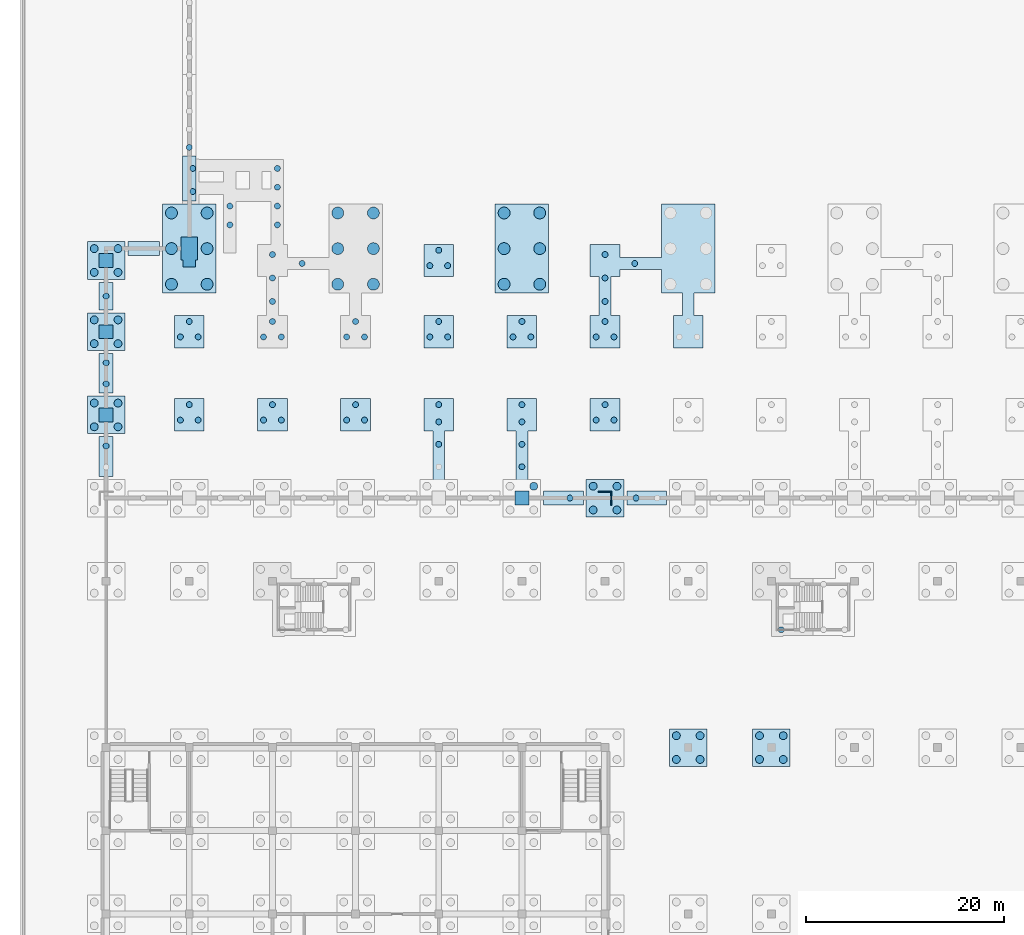
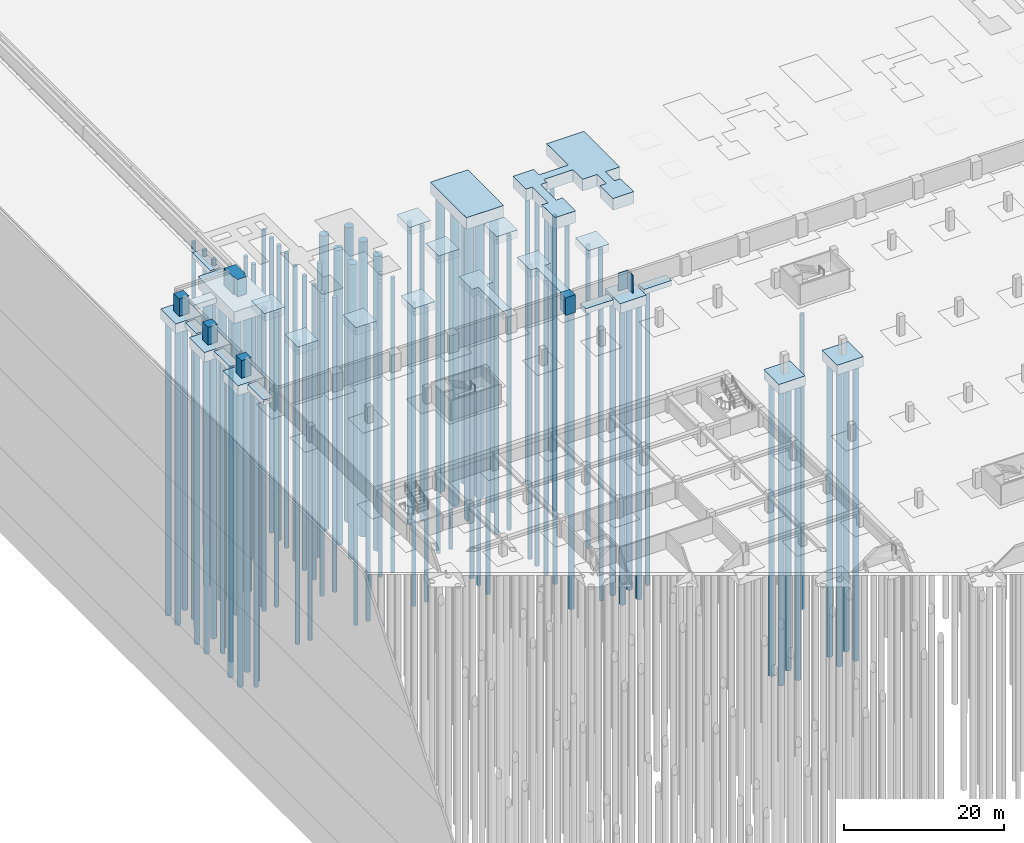
# One storey, part 4 of 67: 107 piles, 32 footings.
"""IFC4 building model written with IfcOpenShell, lengths in metres."""

import ifcopenshell
import ifcopenshell.guid

model = None  # the IFC model being written
_history = None  # IfcOwnerHistory: only IFC2X3 demands one
_inside = {}  # id of a spatial element -> (the spatial element, [elements in it])
_under = {}  # id of a project, library or spatial element -> (it, [spatial elements below it])
_declared = {}  # id of a project -> (the project, [libraries it declares])
_typed = {}  # id of a type object -> (the type object, [elements of that type])
_made_of = {}  # id of a material, layer set ... -> (it, [elements and type objects made of it])


def new_model(schema):
    """Start an empty IFC model of exactly this schema.

    Asked for "IFC4X3", IfcOpenShell would pick the latest addendum, in which some entities
    have other attributes; the version numbers below select the first issue.
    IFC2X3 requires an IfcOwnerHistory on every rooted entity: one is made here for all.
    """
    global model, _history
    if schema == "IFC4X3":
        model = ifcopenshell.file(schema_version=(4, 3, 0, 0))
    else:
        model = ifcopenshell.file(schema=schema)
    _inside.clear()
    _under.clear()
    _declared.clear()
    _typed.clear()
    _made_of.clear()
    _history = None
    if model.schema == "IFC2X3":
        org = make("IfcOrganization", Name="unknown")
        user = make(
            "IfcPersonAndOrganization",
            ThePerson=make("IfcPerson", FamilyName="unknown"),
            TheOrganization=org,
        )
        app = make(
            "IfcApplication",
            ApplicationDeveloper=org,
            Version="unknown",
            ApplicationFullName="unknown",
            ApplicationIdentifier="unknown",
        )
        _history = make(
            "IfcOwnerHistory",
            OwningUser=user,
            OwningApplication=app,
            ChangeAction="ADDED",
            CreationDate=0,
        )
    return model


def make(cls, **values):
    """One entity of the class cls with the attributes given. An attribute that is None is left unset."""
    return model.create_entity(
        cls, **{name: value for name, value in values.items() if value is not None}
    )


def rooted(cls, **values):
    """An entity with a GlobalId (a new one), such as an element, a storey or a relation."""
    return make(cls, GlobalId=ifcopenshell.guid.new(), OwnerHistory=_history, **values)


def si_unit(unit_type, name, prefix=None):
    """IfcSIUnit, for example si_unit("LENGTHUNIT", "METRE", prefix="MILLI")."""
    return make("IfcSIUnit", UnitType=unit_type, Prefix=prefix, Name=name)


def assignment(units):
    """IfcUnitAssignment: the units of a project."""
    return None if units is None else make("IfcUnitAssignment", Units=units)


def point(xyz):
    """IfcCartesianPoint."""
    return None if xyz is None else make("IfcCartesianPoint", Coordinates=xyz)


def direction(xyz):
    """IfcDirection."""
    return None if xyz is None else make("IfcDirection", DirectionRatios=xyz)


def frame(location, z_axis=None, x_axis=None):
    """IfcAxis2Placement3D, a coordinate frame: its origin and axes. An axis left out is left unset."""
    return make(
        "IfcAxis2Placement3D",
        Location=point(location),
        Axis=direction(z_axis),
        RefDirection=direction(x_axis),
    )


def frame_2d(location, x_axis=None):
    """IfcAxis2Placement2D, a coordinate frame in the plane: its origin and x axis."""
    return make(
        "IfcAxis2Placement2D", Location=point(location), RefDirection=direction(x_axis)
    )


def origin():
    """The frame at (0, 0, 0) with its axes left unset."""
    return frame((0.0, 0.0, 0.0))


def origin_2d():
    """The frame at (0, 0) in the plane with its x axis left unset."""
    return frame_2d((0.0, 0.0))


def place(relative_to, where):
    """IfcLocalPlacement: puts the frame where relative to a parent placement (None: the world)."""
    return make(
        "IfcLocalPlacement", PlacementRelTo=relative_to, RelativePlacement=where
    )


def context(
    kind, dimensions, precision=None, world=None, true_north=None, identifier=None
):
    """IfcGeometricRepresentationContext, for example the 3D "Model" context."""
    return make(
        "IfcGeometricRepresentationContext",
        ContextIdentifier=identifier,
        ContextType=kind,
        CoordinateSpaceDimension=dimensions,
        Precision=precision,
        WorldCoordinateSystem=world,
        TrueNorth=true_north,
    )


def subcontext(parent, identifier, kind, view, scale=None):
    """IfcGeometricRepresentationSubContext, for example "Body" below "Model"."""
    return make(
        "IfcGeometricRepresentationSubContext",
        ContextIdentifier=identifier,
        ContextType=kind,
        ParentContext=parent,
        TargetScale=scale,
        TargetView=view,
    )


def project(units=None, contexts=None):
    """IfcProject with its units and contexts."""
    return rooted(
        "IfcProject",
        Name="project",
        RepresentationContexts=contexts,
        UnitsInContext=assignment(units),
    )


def spatial(cls, under=None, at=None, **own):
    """A site, building, storey or space (cls), placed at a placement, below another one or the project."""
    s = rooted(cls, ObjectPlacement=at, **own)
    if under is not None:
        _under.setdefault(under.id(), (under, []))[1].append(s)
    return s


def polyline(points):
    """IfcPolyline through the points."""
    return make("IfcPolyline", Points=[point(p) for p in points])


def profile(cls, at=None, kind="AREA", **sizes):
    """A parametric profile (cls). Its sizes go by their IFC names, for example OverallWidth=200.0."""
    return make(cls, ProfileType=kind, Position=at, **sizes)


def circle(**sizes):
    """IfcCircleProfileDef."""
    return profile("IfcCircleProfileDef", **sizes)


def outline(outer, holes=None, kind="AREA"):
    """IfcArbitraryClosedProfileDef: a profile drawn as a closed curve; with holes, ...WithVoids."""
    if holes is None:
        return make("IfcArbitraryClosedProfileDef", ProfileType=kind, OuterCurve=outer)
    return make(
        "IfcArbitraryProfileDefWithVoids",
        ProfileType=kind,
        OuterCurve=outer,
        InnerCurves=holes,
    )


def extrude(swept, where, along, depth):
    """IfcExtrudedAreaSolid: the profile swept, set in the frame where, extruded along a direction by depth."""
    return make(
        "IfcExtrudedAreaSolid",
        SweptArea=swept,
        Position=where,
        ExtrudedDirection=direction(along),
        Depth=depth,
    )


def shape(context_of_items, identifier, shape_type, items):
    """IfcShapeRepresentation: the items that make up one representation, for example the "Body"."""
    return make(
        "IfcShapeRepresentation",
        ContextOfItems=context_of_items,
        RepresentationIdentifier=identifier,
        RepresentationType=shape_type,
        Items=items,
    )


def material(Name=None, Category=None):
    """IfcMaterial."""
    return make("IfcMaterial", Name=Name, Category=Category)


def material_profile(
    of_material, cross_section, Name=None, Category=None, Priority=None
):
    """IfcMaterialProfile: a cross section and its material."""
    return make(
        "IfcMaterialProfile",
        Name=Name,
        Material=of_material,
        Profile=cross_section,
        Priority=Priority,
        Category=Category,
    )


def profile_set(profiles, Name=None, composite=None):
    """IfcMaterialProfileSet."""
    return make(
        "IfcMaterialProfileSet",
        Name=Name,
        MaterialProfiles=profiles,
        CompositeProfile=composite,
    )


def made_of(thing, what):
    """Note that an element or type object is made of a material, layer set ...; save() writes the relation."""
    if what is not None:
        _made_of.setdefault(what.id(), (what, []))[1].append(thing)
    return thing


def type_object(cls, material=None, **own):
    """A type object (cls), such as IfcWallType, which elements share."""
    return made_of(rooted(cls, **own), material)


def element(
    cls,
    number,
    at=None,
    inside=None,
    cuts=None,
    type_object=None,
    material=None,
    context=None,
    identifier="Body",
    shape_type=None,
    held_by="IfcProductDefinitionShape",
    body=None,
    shapes=None,
    **own,
):
    """One element of the class cls, such as IfcWall. Its Tag is "e" and its number.

    at: its placement. inside: the storey or other place that contains it. cuts: it is an
    opening in that element (IfcRelVoidsElement). A single representation is given by context,
    identifier, shape_type and body (its items); several are given by shapes. held_by: the class
    of the entity that holds the representations. save() writes the other relations.
    """
    e = rooted(cls, Tag="e%d" % number, ObjectPlacement=at, **own)
    if body is not None:
        shapes = [shape(context, identifier, shape_type, body)]
    if shapes is not None:
        e.Representation = make(held_by, Representations=shapes)
    if inside is not None:
        _inside.setdefault(inside.id(), (inside, []))[1].append(e)
    if cuts is not None:
        rooted(
            "IfcRelVoidsElement", RelatingBuildingElement=cuts, RelatedOpeningElement=e
        )
    if type_object is not None:
        _typed.setdefault(type_object.id(), (type_object, []))[1].append(e)
    return made_of(e, material)


def aggregate(whole, parts):
    """IfcRelAggregates: a whole, such as a stair, and the parts it consists of."""
    return rooted("IfcRelAggregates", RelatingObject=whole, RelatedObjects=parts)


def save(model, path):
    """Write the relations noted so far, then the file.

    IfcRelAggregates (storeys below a building ...), IfcRelContainedInSpatialStructure (elements
    in a storey), IfcRelDefinesByType, IfcRelAssociatesMaterial and IfcRelDeclares: one each for
    every whole, place, type object, material and project.
    """
    for whole, parts in _under.values():
        aggregate(whole, parts)
    for where, things in _inside.values():
        rooted(
            "IfcRelContainedInSpatialStructure",
            RelatedElements=things,
            RelatingStructure=where,
        )
    for kind, things in _typed.values():
        rooted("IfcRelDefinesByType", RelatedObjects=things, RelatingType=kind)
    for what, things in _made_of.values():
        rooted("IfcRelAssociatesMaterial", RelatedObjects=things, RelatingMaterial=what)
    for by, libraries in _declared.values():
        rooted("IfcRelDeclares", RelatingContext=by, RelatedDefinitions=libraries)
    model.write(path)


model = new_model("IFC4")

# Units and contexts
model_context = context("Model", 3, precision=1e-05, world=origin(), true_north=direction((0.0, 1.0)))
body_context = subcontext(model_context, "Body", "Model", "MODEL_VIEW")
ifc_project = project(units=[si_unit("LENGTHUNIT", "METRE"), si_unit("AREAUNIT", "SQUARE_METRE"), si_unit("VOLUMEUNIT", "CUBIC_METRE"), si_unit("PLANEANGLEUNIT", "RADIAN"), si_unit("MASSUNIT", "GRAM", prefix="KILO")], contexts=[model_context])

# Site, building, storey
site_placement = place(None, origin())
site = spatial("IfcSite", under=ifc_project, at=site_placement, CompositionType="ELEMENT")
building_placement = place(site_placement, origin())
building = spatial("IfcBuilding", under=site, at=building_placement, Name="Rain Tree Exposition and Congress Centre", CompositionType="ELEMENT")
storey_placement = place(building_placement, frame((0.0, 0.0, -3.0)))
storey = spatial("IfcBuildingStorey", under=building, at=storey_placement, Name="B1", CompositionType="ELEMENT", Elevation=-3.0)

# Piles
ifc_material_1 = material(Name="Concrete C35/45", Category="concrete")
ifc_material_profile_1 = material_profile(ifc_material_1, circle(Radius=0.60009765625, at=origin_2d()), Name="D1200")
ifc_profile_set_1 = profile_set([ifc_material_profile_1], Name="Concrete C35/45")
pile_type_1 = type_object("IfcPileType", Name="Bored pile D1200", PredefinedType="BORED", material=ifc_profile_set_1)
for number, where, z_axis, x_axis, name in (
    (1, (6.60009765625, 97.199951171875, -1.72509765625), (0.0, 0.0, -1.0), (1.0, 0.0, 0.0), "Bored pile 0187"),
    (2, (10.199951171875, 97.199951171875, -1.72509765625), (0.0, 0.0, -1.0), (1.0, 0.0, 0.0), "Bored pile 0188"),
    (3, (6.60009765625, 100.800048828125, -1.72509765625), (0.0, 0.0, -1.0), (1.0, 0.0, 0.0), "Bored pile 0189"),
    (4, (10.199951171875, 100.800048828125, -1.72509765625), (0.0, 0.0, -1.0), (1.0, 0.0, 0.0), "Bored pile 0190"),
    (5, (6.60009765625, 104.39990234375, -1.72509765625), (0.0, 0.0, -1.0), (1.0, 0.0, 0.0), "Bored pile 0191"),
    (6, (10.199951171875, 104.39990234375, -1.72509765625), (0.0, 0.0, -1.0), (1.0, 0.0, 0.0), "Bored pile 0192"),
    (7, (23.39990234375, 104.39990234375, 0.92578125), (0.0, 0.0, -1.0), (1.0, 0.0, 0.0), "Bored pile 1671"),
    (8, (27.0, 104.39990234375, 0.92578125), (0.0, 0.0, -1.0), (1.0, 0.0, 0.0), "Bored pile 1672"),
    (9, (23.39990234375, 100.800048828125, 0.92578125), (0.0, 0.0, -1.0), (1.0, 0.0, 0.0), "Bored pile 1675"),
    (10, (27.0, 100.800048828125, 0.92578125), (0.0, 0.0, -1.0), (1.0, 0.0, 0.0), "Bored pile 1676"),
    (11, (23.39990234375, 97.199951171875, 0.92578125), (0.0, 0.0, -1.0), (1.0, 0.0, 0.0), "Bored pile 1680"),
    (12, (27.0, 97.199951171875, 0.92578125), (0.0, 0.0, -1.0), (1.0, 0.0, 0.0), "Bored pile 1681"),
    (13, (40.199951171875, 97.199951171875, 0.92578125), (0.0, 0.0, -1.0), (1.0, 0.0, 0.0), "Bored pile 1727"),
    (14, (43.800048828125, 97.199951171875, 0.92578125), (0.0, 0.0, -1.0), (1.0, 0.0, 0.0), "Bored pile 1728"),
    (15, (40.199951171875, 100.800048828125, 0.92578125), (0.0, 0.0, -1.0), (1.0, 0.0, 0.0), "Bored pile 1729"),
    (16, (43.800048828125, 100.800048828125, 0.92578125), (0.0, 0.0, -1.0), (1.0, 0.0, 0.0), "Bored pile 1730"),
    (17, (40.199951171875, 104.39990234375, 0.92578125), (0.0, 0.0, -1.0), (1.0, 0.0, 0.0), "Bored pile 1731"),
    (18, (43.800048828125, 104.39990234375, 0.92578125), (0.0, 0.0, -1.0), (1.0, 0.0, 0.0), "Bored pile 1732"),
):
    element("IfcPile", number, at=place(storey_placement, frame(where, z_axis=z_axis, x_axis=x_axis)), inside=storey, type_object=pile_type_1, Name=name, PredefinedType="BORED", context=body_context, shape_type="SweptSolid", body=[
        extrude(circle(Radius=0.60009765625, at=origin_2d()), origin(), (0.0, 0.0, 1.0), 45.074951171875),
    ])
ifc_material_2 = material(Name="Concrete C35/45", Category="concrete")
ifc_material_profile_2 = material_profile(ifc_material_2, circle(Radius=0.300048828125, at=origin_2d()), Name="D600")
ifc_profile_set_2 = profile_set([ifc_material_profile_2], Name="Concrete C35/45")
pile_type_2 = type_object("IfcPileType", Name="Bored pile D600", PredefinedType="BORED", material=ifc_profile_set_2)
for number, where, z_axis, x_axis, name in (
    (19, (68.199951171875, 62.300048828125, -1.425048828125), (0.0, 0.0, -1.0), (1.0, 0.0, 0.0), "Bored pile 0395"),
    (20, (8.39990234375, 111.029541015625, 0.92578125), (0.0, 0.0, -1.0), (1.0, 0.0, 0.0), "Bored pile 1664"),
    (21, (17.300048828125, 108.89990234375, 0.92578125), (0.0, 0.0, -1.0), (1.0, 0.0, 0.0), "Bored pile 1665"),
    (22, (8.75, 108.89990234375, 0.92578125), (0.0, 0.0, -1.0), (1.0, 0.0, 0.0), "Bored pile 1666"),
    (23, (17.300048828125, 107.0, 0.92578125), (0.0, 0.0, -1.0), (1.0, 0.0, 0.0), "Bored pile 1667"),
    (24, (8.75, 106.566650390625, 0.92578125), (0.0, 0.0, -1.0), (1.0, 0.0, 0.0), "Bored pile 1668"),
    (25, (12.5, 105.10009765625, 0.92578125), (0.0, 0.0, -1.0), (1.0, 0.0, 0.0), "Bored pile 1669"),
    (26, (17.300048828125, 105.10009765625, 0.92578125), (0.0, 0.0, -1.0), (1.0, 0.0, 0.0), "Bored pile 1670"),
    (27, (12.5, 103.199951171875, 0.92578125), (0.0, 0.0, -1.0), (1.0, 0.0, 0.0), "Bored pile 1673"),
    (28, (17.300048828125, 103.199951171875, 0.92578125), (0.0, 0.0, -1.0), (1.0, 0.0, 0.0), "Bored pile 1674"),
    (29, (16.800048828125, 100.199951171875, 0.92578125), (0.0, 0.0, -1.0), (1.0, 0.0, 0.0), "Bored pile 1677"),
    (30, (19.800048828125, 99.300048828125, 0.92578125), (0.0, 0.0, -1.0), (1.0, 0.0, 0.0), "Bored pile 1678"),
    (31, (16.800048828125, 97.833251953125, 0.92578125), (0.0, 0.0, -1.0), (1.0, 0.0, 0.0), "Bored pile 1679"),
    (32, (16.800048828125, 95.466796875, 0.92578125), (0.0, 0.0, -1.0), (1.0, 0.0, 0.0), "Bored pile 1682"),
    (33, (16.800048828125, 93.439208984375, 0.92578125), (0.0, 0.0, -1.0), (1.0, 0.0, 0.0), "Bored pile 1683"),
    (34, (25.199951171875, 93.439208984375, 0.92578125), (0.0, 0.0, -1.0), (1.0, 0.0, 0.0), "Bored pile 1684"),
    (35, (15.89990234375, 91.88037109375, 0.92578125), (0.0, 0.0, -1.0), (1.0, 0.0, 0.0), "Bored pile 1685"),
    (36, (17.699951171875, 91.88037109375, 0.92578125), (0.0, 0.0, -1.0), (1.0, 0.0, 0.0), "Bored pile 1686"),
    (37, (24.300048828125, 91.88037109375, 0.92578125), (0.0, 0.0, -1.0), (1.0, 0.0, 0.0), "Bored pile 1687"),
    (38, (26.10009765625, 91.88037109375, 0.92578125), (0.0, 0.0, -1.0), (1.0, 0.0, 0.0), "Bored pile 1688"),
    (39, (49.5, 91.88037109375, 0.92578125), (0.0, 0.0, -1.0), (1.0, 0.0, 0.0), "Bored pile 1695"),
    (40, (51.300048828125, 91.88037109375, 0.92578125), (0.0, 0.0, -1.0), (1.0, 0.0, 0.0), "Bored pile 1696"),
    (41, (50.39990234375, 93.439208984375, 0.92578125), (0.0, 0.0, -1.0), (1.0, 0.0, 0.0), "Bored pile 1697"),
    (42, (50.39990234375, 100.199951171875, 0.92578125), (0.0, 0.0, -1.0), (1.0, 0.0, 0.0), "Bored pile 1701"),
    (43, (50.39990234375, 97.833251953125, 0.92578125), (0.0, 0.0, -1.0), (1.0, 0.0, 0.0), "Bored pile 1702"),
    (44, (50.39990234375, 95.466796875, 0.92578125), (0.0, 0.0, -1.0), (1.0, 0.0, 0.0), "Bored pile 1703"),
    (45, (53.39990234375, 99.300048828125, 0.92578125), (0.0, 0.0, -1.0), (1.0, 0.0, 0.0), "Bored pile 1704"),
    (46, (33.60009765625, 81.033203125, 1.574951171875), (0.0, 0.0, -1.0), (1.0, 0.0, 0.0), "Bored pile 2168"),
    (47, (33.60009765625, 83.300048828125, 1.574951171875), (0.0, 0.0, -1.0), (1.0, 0.0, 0.0), "Bored pile 2169"),
    (48, (33.60009765625, 85.039306640625, 1.574951171875), (0.0, 0.0, -1.0), (1.0, 0.0, 0.0), "Bored pile 2170"),
    (49, (42.0, 78.7666015625, 1.574951171875), (0.0, 0.0, -1.0), (1.0, 0.0, 0.0), "Bored pile 2171"),
    (50, (42.0, 81.033203125, 1.574951171875), (0.0, 0.0, -1.0), (1.0, 0.0, 0.0), "Bored pile 2172"),
    (51, (42.0, 83.300048828125, 1.574951171875), (0.0, 0.0, -1.0), (1.0, 0.0, 0.0), "Bored pile 2173"),
    (52, (42.0, 85.039306640625, 1.574951171875), (0.0, 0.0, -1.0), (1.0, 0.0, 0.0), "Bored pile 2174"),
    (53, (49.5, 83.480224609375, 1.574951171875), (0.0, 0.0, -1.0), (1.0, 0.0, 0.0), "Bored pile 2175"),
    (54, (51.300048828125, 83.480224609375, 1.574951171875), (0.0, 0.0, -1.0), (1.0, 0.0, 0.0), "Bored pile 2176"),
    (55, (50.39990234375, 85.039306640625, 1.574951171875), (0.0, 0.0, -1.0), (1.0, 0.0, 0.0), "Bored pile 2177"),
    (56, (24.300048828125, 83.480224609375, 1.574951171875), (0.0, 0.0, -1.0), (1.0, 0.0, 0.0), "Bored pile 2190"),
    (57, (26.10009765625, 83.480224609375, 1.574951171875), (0.0, 0.0, -1.0), (1.0, 0.0, 0.0), "Bored pile 2191"),
    (58, (25.199951171875, 85.039306640625, 1.574951171875), (0.0, 0.0, -1.0), (1.0, 0.0, 0.0), "Bored pile 2192"),
    (59, (15.89990234375, 83.480224609375, 1.574951171875), (0.0, 0.0, -1.0), (1.0, 0.0, 0.0), "Bored pile 2193"),
    (60, (17.699951171875, 83.480224609375, 1.574951171875), (0.0, 0.0, -1.0), (1.0, 0.0, 0.0), "Bored pile 2194"),
    (61, (16.800048828125, 85.039306640625, 1.574951171875), (0.0, 0.0, -1.0), (1.0, 0.0, 0.0), "Bored pile 2195"),
    (62, (7.5, 83.480224609375, 1.574951171875), (0.0, 0.0, -1.0), (1.0, 0.0, 0.0), "Bored pile 2196"),
    (63, (9.300048828125, 83.480224609375, 1.574951171875), (0.0, 0.0, -1.0), (1.0, 0.0, 0.0), "Bored pile 2197"),
    (64, (8.39990234375, 85.039306640625, 1.574951171875), (0.0, 0.0, -1.0), (1.0, 0.0, 0.0), "Bored pile 2198"),
    (65, (7.5, 91.88037109375, 1.574951171875), (0.0, 0.0, -1.0), (1.0, 0.0, 0.0), "Bored pile 2199"),
    (66, (9.300048828125, 91.88037109375, 1.574951171875), (0.0, 0.0, -1.0), (1.0, 0.0, 0.0), "Bored pile 2200"),
    (67, (8.39990234375, 93.439208984375, 1.574951171875), (0.0, 0.0, -1.0), (1.0, 0.0, 0.0), "Bored pile 2201"),
    (68, (41.10009765625, 91.88037109375, 1.574951171875), (0.0, 0.0, -1.0), (1.0, 0.0, 0.0), "Bored pile 2205"),
    (69, (42.89990234375, 91.88037109375, 1.574951171875), (0.0, 0.0, -1.0), (1.0, 0.0, 0.0), "Bored pile 2206"),
    (70, (42.0, 93.439208984375, 1.574951171875), (0.0, 0.0, -1.0), (1.0, 0.0, 0.0), "Bored pile 2207"),
    (71, (32.699951171875, 91.88037109375, 1.574951171875), (0.0, 0.0, -1.0), (1.0, 0.0, 0.0), "Bored pile 2208"),
    (72, (34.5, 91.88037109375, 1.574951171875), (0.0, 0.0, -1.0), (1.0, 0.0, 0.0), "Bored pile 2209"),
    (73, (33.60009765625, 93.439208984375, 1.574951171875), (0.0, 0.0, -1.0), (1.0, 0.0, 0.0), "Bored pile 2210"),
    (74, (32.699951171875, 99.080322265625, 1.574951171875), (0.0, 0.0, -1.0), (1.0, 0.0, 0.0), "Bored pile 2217"),
    (75, (34.5, 99.080322265625, 1.574951171875), (0.0, 0.0, -1.0), (1.0, 0.0, 0.0), "Bored pile 2218"),
    (76, (33.60009765625, 100.639404296875, 1.574951171875), (0.0, 0.0, -1.0), (1.0, 0.0, 0.0), "Bored pile 2219"),
    (77, (53.533203125, 75.60009765625, -0.72509765625), (0.0, 0.0, -1.0), (1.0, 0.0, 0.0), "Bored pile 2474"),
    (78, (46.85009765625, 75.60009765625, -0.72509765625), (0.0, 0.0, -1.0), (1.0, 0.0, 0.0), "Bored pile 2475"),
    (79, (0.0, 80.86669921875, -0.72509765625), (0.0, 0.0, -1.0), (1.0, 0.0, 0.0), "Bored pile 2486"),
    (80, (0.0, 87.13330078125, -0.72509765625), (0.0, 0.0, -1.0), (1.0, 0.0, 0.0), "Bored pile 2487"),
    (81, (0.0, 89.2666015625, -0.72509765625), (0.0, 0.0, -1.0), (1.0, 0.0, 0.0), "Bored pile 2488"),
    (82, (0.0, 96.0, -0.72509765625), (0.0, 0.0, -1.0), (1.0, 0.0, 0.0), "Bored pile 2489"),
):
    element("IfcPile", number, at=place(storey_placement, frame(where, z_axis=z_axis, x_axis=x_axis)), inside=storey, type_object=pile_type_2, Name=name, PredefinedType="BORED", context=body_context, shape_type="SweptSolid", body=[
        extrude(circle(Radius=0.300048828125, at=origin_2d()), origin(), (0.0, 0.0, 1.0), 45.074951171875),
    ])
ifc_material_3 = material(Name="Concrete C35/45", Category="concrete")
ifc_material_profile_3 = material_profile(ifc_material_3, circle(Radius=0.39990234375, at=origin_2d()), Name="D800")
ifc_profile_set_3 = profile_set([ifc_material_profile_3], Name="Concrete C35/45")
pile_type_3 = type_object("IfcPileType", Name="Bored pile D800", PredefinedType="BORED", material=ifc_profile_set_3)
for number, where, z_axis, x_axis, name in (
    (83, (-1.199951171875, 82.800048828125, -1.425048828125), (0.0, 0.0, -1.0), (1.0, 0.0, 0.0), "Bored pile 0175"),
    (84, (1.199951171875, 82.800048828125, -1.425048828125), (0.0, 0.0, -1.0), (1.0, 0.0, 0.0), "Bored pile 0176"),
    (85, (-1.199951171875, 85.199951171875, -1.425048828125), (0.0, 0.0, -1.0), (1.0, 0.0, 0.0), "Bored pile 0177"),
    (86, (1.199951171875, 85.199951171875, -1.425048828125), (0.0, 0.0, -1.0), (1.0, 0.0, 0.0), "Bored pile 0178"),
    (87, (-1.199951171875, 91.199951171875, -1.425048828125), (0.0, 0.0, -1.0), (1.0, 0.0, 0.0), "Bored pile 0179"),
    (88, (1.199951171875, 91.199951171875, -1.425048828125), (0.0, 0.0, -1.0), (1.0, 0.0, 0.0), "Bored pile 0180"),
    (89, (-1.199951171875, 93.60009765625, -1.425048828125), (0.0, 0.0, -1.0), (1.0, 0.0, 0.0), "Bored pile 0181"),
    (90, (1.199951171875, 93.60009765625, -1.425048828125), (0.0, 0.0, -1.0), (1.0, 0.0, 0.0), "Bored pile 0182"),
    (91, (-1.199951171875, 98.39990234375, -1.425048828125), (0.0, 0.0, -1.0), (1.0, 0.0, 0.0), "Bored pile 0183"),
    (92, (1.199951171875, 98.39990234375, -1.425048828125), (0.0, 0.0, -1.0), (1.0, 0.0, 0.0), "Bored pile 0184"),
    (93, (-1.199951171875, 100.800048828125, -1.425048828125), (0.0, 0.0, -1.0), (1.0, 0.0, 0.0), "Bored pile 0185"),
    (94, (1.199951171875, 100.800048828125, -1.425048828125), (0.0, 0.0, -1.0), (1.0, 0.0, 0.0), "Bored pile 0186"),
    (95, (66.0, 49.199951171875, -1.425048828125), (0.0, 0.0, -1.0), (1.0, 0.0, 0.0), "Bored pile 0361"),
    (96, (68.39990234375, 49.199951171875, -1.425048828125), (0.0, 0.0, -1.0), (1.0, 0.0, 0.0), "Bored pile 0362"),
    (97, (66.0, 51.60009765625, -1.425048828125), (0.0, 0.0, -1.0), (1.0, 0.0, 0.0), "Bored pile 0363"),
    (98, (68.39990234375, 51.60009765625, -1.425048828125), (0.0, 0.0, -1.0), (1.0, 0.0, 0.0), "Bored pile 0364"),
    (99, (57.60009765625, 49.199951171875, -1.425048828125), (0.0, 0.0, -1.0), (1.0, 0.0, 0.0), "Bored pile 0377"),
    (100, (60.0, 49.199951171875, -1.425048828125), (0.0, 0.0, -1.0), (1.0, 0.0, 0.0), "Bored pile 0378"),
    (101, (57.60009765625, 51.60009765625, -1.425048828125), (0.0, 0.0, -1.0), (1.0, 0.0, 0.0), "Bored pile 0379"),
    (102, (60.0, 51.60009765625, -1.425048828125), (0.0, 0.0, -1.0), (1.0, 0.0, 0.0), "Bored pile 0380"),
    (103, (49.199951171875, 74.39990234375, -1.425048828125), (0.0, 0.0, -1.0), (1.0, 0.0, 0.0), "Bored pile 0407"),
    (104, (51.60009765625, 74.39990234375, -1.425048828125), (0.0, 0.0, -1.0), (1.0, 0.0, 0.0), "Bored pile 0408"),
    (105, (49.199951171875, 76.800048828125, -1.425048828125), (0.0, 0.0, -1.0), (1.0, 0.0, 0.0), "Bored pile 0409"),
    (106, (51.60009765625, 76.800048828125, -1.425048828125), (0.0, 0.0, -1.0), (1.0, 0.0, 0.0), "Bored pile 0410"),
    (107, (43.199951171875, 76.800048828125, -1.425048828125), (0.0, 0.0, -1.0), (1.0, 0.0, 0.0), "Bored pile 0422"),
):
    element("IfcPile", number, at=place(storey_placement, frame(where, z_axis=z_axis, x_axis=x_axis)), inside=storey, type_object=pile_type_3, Name=name, PredefinedType="BORED", context=body_context, shape_type="SweptSolid", body=[
        extrude(circle(Radius=0.39990234375, at=origin_2d()), origin(), (0.0, 0.0, 1.0), 45.074951171875),
    ])

# Footings
ifc_material_4 = material(Name="Concrete C35/45", Category="concrete")
footing_type_1 = type_object("IfcFootingType", Name="Pier cap 2650 thick", PredefinedType="PILE_CAP", material=ifc_material_4)
footing_1_placement = place(storey_placement, origin())
element("IfcFooting", 108, at=footing_1_placement, inside=storey, type_object=footing_type_1, Name="Pier cap 002", PredefinedType="PILE_CAP", context=body_context, shape_type="SweptSolid", body=[
    extrude(outline(polyline([(9.050048828125, 98.949951171875), (9.050048828125, 99.64990234375), (9.25, 99.64990234375), (9.25, 101.949951171875), (7.550048828125, 101.949951171875), (7.550048828125, 99.64990234375), (7.75, 99.64990234375), (7.75, 98.949951171875), (9.050048828125, 98.949951171875)])), origin(), (0.0, 0.0, 1.0), 2.64990234375),
])
ifc_material_5 = material(Name="Concrete C35/45", Category="concrete")
footing_type_2 = type_object("IfcFootingType", Name="Pier cap 2700 thick", PredefinedType="PILE_CAP", material=ifc_material_5)
footing_2_placement = place(storey_placement, origin())
element("IfcFooting", 109, at=footing_2_placement, inside=storey, type_object=footing_type_2, Name="Pier cap 036", PredefinedType="PILE_CAP", context=body_context, shape_type="SweptSolid", body=[
    extrude(outline(polyline([(41.300048828125, 74.89990234375), (42.699951171875, 74.89990234375), (42.699951171875, 76.300048828125), (41.300048828125, 76.300048828125), (41.300048828125, 74.89990234375)])), origin(), (0.0, 0.0, 1.0), 2.699951171875),
])
footing_3_placement = place(storey_placement, origin())
element("IfcFooting", 110, at=footing_3_placement, inside=storey, type_object=footing_type_2, Name="Pier cap 051", PredefinedType="PILE_CAP", context=body_context, shape_type="SweptSolid", body=[
    extrude(outline(polyline([(51.0, 74.89990234375), (51.10009765625, 74.89990234375), (51.10009765625, 76.300048828125), (49.699951171875, 76.300048828125), (49.699951171875, 76.199951171875), (51.0, 76.199951171875), (51.0, 74.89990234375)])), origin(), (0.0, 0.0, 1.0), 2.699951171875),
])
footing_4_placement = place(storey_placement, origin())
element("IfcFooting", 111, at=footing_4_placement, inside=storey, type_object=footing_type_2, Name="Pier cap 054", PredefinedType="PILE_CAP", context=body_context, shape_type="SweptSolid", body=[
    extrude(outline(polyline([(-0.699951171875, 84.699951171875), (-0.699951171875, 83.300048828125), (0.699951171875, 83.300048828125), (0.699951171875, 84.699951171875), (-0.699951171875, 84.699951171875)])), origin(), (0.0, 0.0, 1.0), 2.699951171875),
])
footing_5_placement = place(storey_placement, origin())
element("IfcFooting", 112, at=footing_5_placement, inside=storey, type_object=footing_type_2, Name="Pier cap 056", PredefinedType="PILE_CAP", context=body_context, shape_type="SweptSolid", body=[
    extrude(outline(polyline([(-0.699951171875, 93.10009765625), (-0.699951171875, 91.699951171875), (0.699951171875, 91.699951171875), (0.699951171875, 93.10009765625), (-0.699951171875, 93.10009765625)])), origin(), (0.0, 0.0, 1.0), 2.699951171875),
])
footing_6_placement = place(storey_placement, origin())
element("IfcFooting", 113, at=footing_6_placement, inside=storey, type_object=footing_type_2, Name="Pier cap 058", PredefinedType="PILE_CAP", context=body_context, shape_type="SweptSolid", body=[
    extrude(outline(polyline([(-0.699951171875, 100.300048828125), (-0.699951171875, 98.89990234375), (0.699951171875, 98.89990234375), (0.699951171875, 100.300048828125), (-0.699951171875, 100.300048828125)])), origin(), (0.0, 0.0, 1.0), 2.699951171875),
])
ifc_material_6 = material(Name="Concrete C35/45", Category="concrete")
footing_type_3 = type_object("IfcFootingType", Name="Pile cap 1200 thick", PredefinedType="PILE_CAP", material=ifc_material_6)
footing_7_placement = place(storey_placement, frame((0.0, 0.0, 1.5)))
element("IfcFooting", 114, at=footing_7_placement, inside=storey, type_object=footing_type_3, Name="Pile cap 315", PredefinedType="PILE_CAP", context=body_context, shape_type="SweptSolid", body=[
    extrude(outline(polyline([(51.89990234375, 82.360595703125), (51.89990234375, 85.639404296875), (48.89990234375, 85.639404296875), (48.89990234375, 82.360595703125), (51.89990234375, 82.360595703125)])), origin(), (0.0, 0.0, 1.0), 1.199951171875),
])
footing_8_placement = place(storey_placement, frame((0.0, 0.0, 1.5)))
element("IfcFooting", 115, at=footing_8_placement, inside=storey, type_object=footing_type_3, Name="Pile cap 320", PredefinedType="PILE_CAP", context=body_context, shape_type="SweptSolid", body=[
    extrude(outline(polyline([(26.699951171875, 82.360595703125), (26.699951171875, 85.639404296875), (23.699951171875, 85.639404296875), (23.699951171875, 82.360595703125), (26.699951171875, 82.360595703125)])), origin(), (0.0, 0.0, 1.0), 1.199951171875),
])
footing_9_placement = place(storey_placement, frame((0.0, 0.0, 1.5)))
element("IfcFooting", 116, at=footing_9_placement, inside=storey, type_object=footing_type_3, Name="Pile cap 321", PredefinedType="PILE_CAP", context=body_context, shape_type="SweptSolid", body=[
    extrude(outline(polyline([(18.300048828125, 82.360595703125), (18.300048828125, 85.639404296875), (15.300048828125, 85.639404296875), (15.300048828125, 82.360595703125), (18.300048828125, 82.360595703125)])), origin(), (0.0, 0.0, 1.0), 1.199951171875),
])
footing_10_placement = place(storey_placement, frame((0.0, 0.0, 1.5)))
element("IfcFooting", 117, at=footing_10_placement, inside=storey, type_object=footing_type_3, Name="Pile cap 322", PredefinedType="PILE_CAP", context=body_context, shape_type="SweptSolid", body=[
    extrude(outline(polyline([(9.89990234375, 82.360595703125), (9.89990234375, 85.639404296875), (6.89990234375, 85.639404296875), (6.89990234375, 82.360595703125), (9.89990234375, 82.360595703125)])), origin(), (0.0, 0.0, 1.0), 1.199951171875),
])
footing_11_placement = place(storey_placement, frame((0.0, 0.0, 1.5)))
element("IfcFooting", 118, at=footing_11_placement, inside=storey, type_object=footing_type_3, Name="Pile cap 323", PredefinedType="PILE_CAP", context=body_context, shape_type="SweptSolid", body=[
    extrude(outline(polyline([(9.89990234375, 90.7607421875), (9.89990234375, 94.039306640625), (6.89990234375, 94.039306640625), (6.89990234375, 90.7607421875), (9.89990234375, 90.7607421875)])), origin(), (0.0, 0.0, 1.0), 1.199951171875),
])
footing_12_placement = place(storey_placement, frame((0.0, 0.0, 1.5)))
element("IfcFooting", 119, at=footing_12_placement, inside=storey, type_object=footing_type_3, Name="Pile cap 325", PredefinedType="PILE_CAP", context=body_context, shape_type="SweptSolid", body=[
    extrude(outline(polyline([(43.5, 90.7607421875), (43.5, 94.039306640625), (40.5, 94.039306640625), (40.5, 90.7607421875), (43.5, 90.7607421875)])), origin(), (0.0, 0.0, 1.0), 1.199951171875),
])
footing_13_placement = place(storey_placement, frame((0.0, 0.0, 1.5)))
element("IfcFooting", 120, at=footing_13_placement, inside=storey, type_object=footing_type_3, Name="Pile cap 326", PredefinedType="PILE_CAP", context=body_context, shape_type="SweptSolid", body=[
    extrude(outline(polyline([(35.10009765625, 90.7607421875), (35.10009765625, 94.039306640625), (32.10009765625, 94.039306640625), (32.10009765625, 90.7607421875), (35.10009765625, 90.7607421875)])), origin(), (0.0, 0.0, 1.0), 1.199951171875),
])
footing_14_placement = place(storey_placement, frame((0.0, 0.0, 1.5)))
element("IfcFooting", 121, at=footing_14_placement, inside=storey, type_object=footing_type_3, Name="Pile cap 329", PredefinedType="PILE_CAP", context=body_context, shape_type="SweptSolid", body=[
    extrude(outline(polyline([(35.10009765625, 97.960693359375), (35.10009765625, 101.2392578125), (32.10009765625, 101.2392578125), (32.10009765625, 97.960693359375), (35.10009765625, 97.960693359375)])), origin(), (0.0, 0.0, 1.0), 1.199951171875),
])
ifc_material_7 = material(Name="Concrete C35/45", Category="concrete")
footing_type_4 = type_object("IfcFootingType", Name="Pile cap 1500 thick", PredefinedType="PILE_CAP", material=ifc_material_7)
footing_15_placement = place(storey_placement, frame((0.0, 0.0, -1.5)))
element("IfcFooting", 122, at=footing_15_placement, inside=storey, type_object=footing_type_4, Name="Pile cap 041", PredefinedType="PILE_CAP", context=body_context, shape_type="SweptSolid", body=[
    extrude(outline(polyline([(1.89990234375, 82.10009765625), (1.89990234375, 85.89990234375), (-1.89990234375, 85.89990234375), (-1.89990234375, 82.10009765625), (1.89990234375, 82.10009765625)])), origin(), (0.0, 0.0, 1.0), 1.5),
])
footing_16_placement = place(storey_placement, frame((0.0, 0.0, -1.5)))
element("IfcFooting", 123, at=footing_16_placement, inside=storey, type_object=footing_type_4, Name="Pile cap 042", PredefinedType="PILE_CAP", context=body_context, shape_type="SweptSolid", body=[
    extrude(outline(polyline([(1.89990234375, 90.5), (1.89990234375, 94.300048828125), (-1.89990234375, 94.300048828125), (-1.89990234375, 90.5), (1.89990234375, 90.5)])), origin(), (0.0, 0.0, 1.0), 1.5),
])
footing_17_placement = place(storey_placement, frame((0.0, 0.0, -1.5)))
element("IfcFooting", 124, at=footing_17_placement, inside=storey, type_object=footing_type_4, Name="Pile cap 043", PredefinedType="PILE_CAP", context=body_context, shape_type="SweptSolid", body=[
    extrude(outline(polyline([(1.89990234375, 97.699951171875), (1.89990234375, 101.5), (-1.89990234375, 101.5), (-1.89990234375, 97.699951171875), (1.89990234375, 97.699951171875)])), origin(), (0.0, 0.0, 1.0), 1.5),
])
footing_18_placement = place(storey_placement, frame((0.0, 0.0, -1.5)))
element("IfcFooting", 125, at=footing_18_placement, inside=storey, type_object=footing_type_4, Name="Pile cap 073", PredefinedType="PILE_CAP", context=body_context, shape_type="SweptSolid", body=[
    extrude(outline(polyline([(69.10009765625, 48.5), (69.10009765625, 52.300048828125), (65.300048828125, 52.300048828125), (65.300048828125, 48.5), (69.10009765625, 48.5)])), origin(), (0.0, 0.0, 1.0), 1.5),
])
footing_19_placement = place(storey_placement, frame((0.0, 0.0, -1.5)))
element("IfcFooting", 126, at=footing_19_placement, inside=storey, type_object=footing_type_4, Name="Pile cap 077", PredefinedType="PILE_CAP", context=body_context, shape_type="SweptSolid", body=[
    extrude(outline(polyline([(60.699951171875, 48.5), (60.699951171875, 52.300048828125), (56.89990234375, 52.300048828125), (56.89990234375, 48.5), (60.699951171875, 48.5)])), origin(), (0.0, 0.0, 1.0), 1.5),
])
footing_20_placement = place(storey_placement, frame((0.0, 0.0, -1.5)))
element("IfcFooting", 127, at=footing_20_placement, inside=storey, type_object=footing_type_4, Name="Pile cap 081", PredefinedType="PILE_CAP", context=body_context, shape_type="SweptSolid", body=[
    extrude(outline(polyline([(52.300048828125, 73.699951171875), (52.300048828125, 77.5), (48.5, 77.5), (48.5, 73.699951171875), (52.300048828125, 73.699951171875)])), origin(), (0.0, 0.0, 1.0), 1.5),
])
ifc_material_8 = material(Name="Concrete C35/45", Category="concrete")
footing_type_5 = type_object("IfcFootingType", Name="Pile cap 1800 thick", PredefinedType="PILE_CAP", material=ifc_material_8)
footing_21_placement = place(storey_placement, frame((0.0, 0.0, -1.800048828125)))
element("IfcFooting", 128, at=footing_21_placement, inside=storey, type_object=footing_type_5, Name="Pile cap 044", PredefinedType="PILE_CAP", context=body_context, shape_type="SweptSolid", body=[
    extrude(outline(polyline([(5.699951171875, 96.300048828125), (11.10009765625, 96.300048828125), (11.10009765625, 105.300048828125), (5.699951171875, 105.300048828125), (5.699951171875, 96.300048828125)])), origin(), (0.0, 0.0, 1.0), 1.800048828125),
])
footing_22_placement = place(storey_placement, frame((0.0, 0.0, 0.8505859375)))
element("IfcFooting", 129, at=footing_22_placement, inside=storey, type_object=footing_type_5, Name="Pile cap 310", PredefinedType="PILE_CAP", context=body_context, shape_type="SweptSolid", body=[
    extrude(outline(polyline([(39.300048828125, 96.300048828125), (44.699951171875, 96.300048828125), (44.699951171875, 105.300048828125), (39.300048828125, 105.300048828125), (39.300048828125, 96.300048828125)])), origin(), (0.0, 0.0, 1.0), 1.800048828125),
])
ifc_material_9 = material(Name="Concrete C35/45", Category="concrete")
footing_type_6 = type_object("IfcFootingType", Name="Strip footing 1200 thick", PredefinedType="STRIP_FOOTING", material=ifc_material_9)
footing_23_placement = place(storey_placement, frame((0.0, 0.0, 1.5)))
element("IfcFooting", 130, at=footing_23_placement, inside=storey, type_object=footing_type_6, Name="Strip footing 092", PredefinedType="STRIP_FOOTING", context=body_context, shape_type="SweptSolid", body=[
    extrude(outline(polyline([(34.199951171875, 76.199951171875), (34.199951171875, 82.360595703125), (35.10009765625, 82.360595703125), (35.10009765625, 85.639404296875), (32.10009765625, 85.639404296875), (32.10009765625, 82.360595703125), (33.0, 82.360595703125), (33.0, 76.199951171875), (34.199951171875, 76.199951171875)])), origin(), (0.0, 0.0, 1.0), 1.199951171875),
])
footing_24_placement = place(storey_placement, frame((0.0, 0.0, 1.5)))
element("IfcFooting", 131, at=footing_24_placement, inside=storey, type_object=footing_type_6, Name="Strip footing 093", PredefinedType="STRIP_FOOTING", context=body_context, shape_type="SweptSolid", body=[
    extrude(outline(polyline([(42.60009765625, 76.199951171875), (42.60009765625, 82.360595703125), (43.5, 82.360595703125), (43.5, 85.639404296875), (40.5, 85.639404296875), (40.5, 82.360595703125), (41.39990234375, 82.360595703125), (41.39990234375, 76.199951171875), (42.60009765625, 76.199951171875)])), origin(), (0.0, 0.0, 1.0), 1.199951171875),
])
ifc_material_10 = material(Name="Concrete C35/45", Category="concrete")
footing_type_7 = type_object("IfcFootingType", Name="Strip footing 1800 thick", PredefinedType="STRIP_FOOTING", material=ifc_material_10)
footing_25_placement = place(storey_placement, frame((0.0, 0.0, 0.8505859375)))
element("IfcFooting", 132, at=footing_25_placement, inside=storey, type_object=footing_type_7, Name="Strip footing 049", PredefinedType="STRIP_FOOTING", context=body_context, shape_type="SweptSolid", body=[
    extrude(outline(polyline([(49.800048828125, 94.039306640625), (48.89990234375, 94.039306640625), (48.89990234375, 90.7607421875), (51.89990234375, 90.7607421875), (51.89990234375, 94.039306640625), (51.0, 94.039306640625), (51.0, 97.960693359375), (51.89990234375, 97.960693359375), (51.89990234375, 98.699951171875), (56.10009765625, 98.699951171875), (56.10009765625, 96.300048828125), (58.199951171875, 96.300048828125), (58.199951171875, 94.039306640625), (57.300048828125, 94.039306640625), (57.300048828125, 90.7607421875), (60.300048828125, 90.7607421875), (60.300048828125, 94.039306640625), (59.39990234375, 94.039306640625), (59.39990234375, 96.300048828125), (61.5, 96.300048828125), (61.5, 105.300048828125), (56.10009765625, 105.300048828125), (56.10009765625, 99.89990234375), (51.89990234375, 99.89990234375), (51.89990234375, 101.2392578125), (48.89990234375, 101.2392578125), (48.89990234375, 97.960693359375), (49.800048828125, 97.960693359375), (49.800048828125, 94.039306640625)])), origin(), (0.0, 0.0, 1.0), 1.800048828125),
])
ifc_material_11 = material(Name="Concrete C35/45", Category="concrete")
footing_type_8 = type_object("IfcFootingType", Name="Strip footing 800 thick", PredefinedType="STRIP_FOOTING", material=ifc_material_11)
footing_26_placement = place(storey_placement, frame((0.0, 0.0, -0.800048828125)))
element("IfcFooting", 133, at=footing_26_placement, inside=storey, type_object=footing_type_8, Name="Strip footing 125", PredefinedType="STRIP_FOOTING", context=body_context, shape_type="SweptSolid", body=[
    extrude(outline(polyline([(56.60009765625, 74.89990234375), (56.60009765625, 76.300048828125), (52.60009765625, 76.300048828125), (52.60009765625, 74.89990234375), (56.60009765625, 74.89990234375)])), origin(), (0.0, 0.0, 1.0), 0.800048828125),
])
footing_27_placement = place(storey_placement, frame((0.0, 0.0, -0.800048828125)))
element("IfcFooting", 134, at=footing_27_placement, inside=storey, type_object=footing_type_8, Name="Strip footing 126", PredefinedType="STRIP_FOOTING", context=body_context, shape_type="SweptSolid", body=[
    extrude(outline(polyline([(48.199951171875, 74.89990234375), (48.199951171875, 76.300048828125), (44.199951171875, 76.300048828125), (44.199951171875, 74.89990234375), (48.199951171875, 74.89990234375)])), origin(), (0.0, 0.0, 1.0), 0.800048828125),
])
footing_28_placement = place(storey_placement, frame((0.0, 0.0, -0.800048828125)))
element("IfcFooting", 135, at=footing_28_placement, inside=storey, type_object=footing_type_8, Name="Strip footing 132", PredefinedType="STRIP_FOOTING", context=body_context, shape_type="SweptSolid", body=[
    extrude(outline(polyline([(-0.699951171875, 77.800048828125), (0.699951171875, 77.800048828125), (0.699951171875, 81.800048828125), (-0.699951171875, 81.800048828125), (-0.699951171875, 77.800048828125)])), origin(), (0.0, 0.0, 1.0), 0.800048828125),
])
footing_29_placement = place(storey_placement, frame((0.0, 0.0, -0.800048828125)))
element("IfcFooting", 136, at=footing_29_placement, inside=storey, type_object=footing_type_8, Name="Strip footing 133", PredefinedType="STRIP_FOOTING", context=body_context, shape_type="SweptSolid", body=[
    extrude(outline(polyline([(-0.699951171875, 86.199951171875), (0.699951171875, 86.199951171875), (0.699951171875, 90.199951171875), (-0.699951171875, 90.199951171875), (-0.699951171875, 86.199951171875)])), origin(), (0.0, 0.0, 1.0), 0.800048828125),
])
footing_30_placement = place(storey_placement, frame((0.0, 0.0, -0.800048828125)))
element("IfcFooting", 137, at=footing_30_placement, inside=storey, type_object=footing_type_8, Name="Strip footing 134", PredefinedType="STRIP_FOOTING", context=body_context, shape_type="SweptSolid", body=[
    extrude(outline(polyline([(-0.699951171875, 94.60009765625), (0.699951171875, 94.60009765625), (0.699951171875, 97.39990234375), (-0.699951171875, 97.39990234375), (-0.699951171875, 94.60009765625)])), origin(), (0.0, 0.0, 1.0), 0.800048828125),
])
footing_31_placement = place(storey_placement, frame((0.0, 0.0, -0.800048828125)))
element("IfcFooting", 138, at=footing_31_placement, inside=storey, type_object=footing_type_8, Name="Strip footing 135", PredefinedType="STRIP_FOOTING", context=body_context, shape_type="SweptSolid", body=[
    extrude(outline(polyline([(2.199951171875, 101.5), (2.199951171875, 100.10009765625), (5.39990234375, 100.10009765625), (5.39990234375, 101.5), (2.199951171875, 101.5)])), origin(), (0.0, 0.0, 1.0), 0.800048828125),
])
footing_32_placement = place(storey_placement, frame((0.0, 0.0, -0.800048828125)))
element("IfcFooting", 139, at=footing_32_placement, inside=storey, type_object=footing_type_8, Name="Strip footing 136", PredefinedType="STRIP_FOOTING", context=body_context, shape_type="SweptSolid", body=[
    extrude(outline(polyline([(9.10009765625, 105.60009765625), (9.10009765625, 110.158203125), (7.699951171875, 110.158203125), (7.699951171875, 105.60009765625), (9.10009765625, 105.60009765625)])), origin(), (0.0, 0.0, 1.0), 0.800048828125),
])

save(model, "model.ifc")
